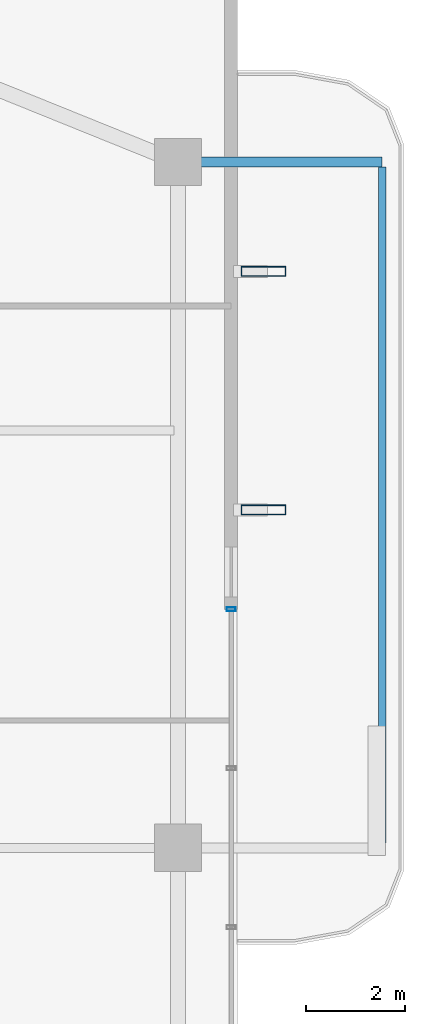
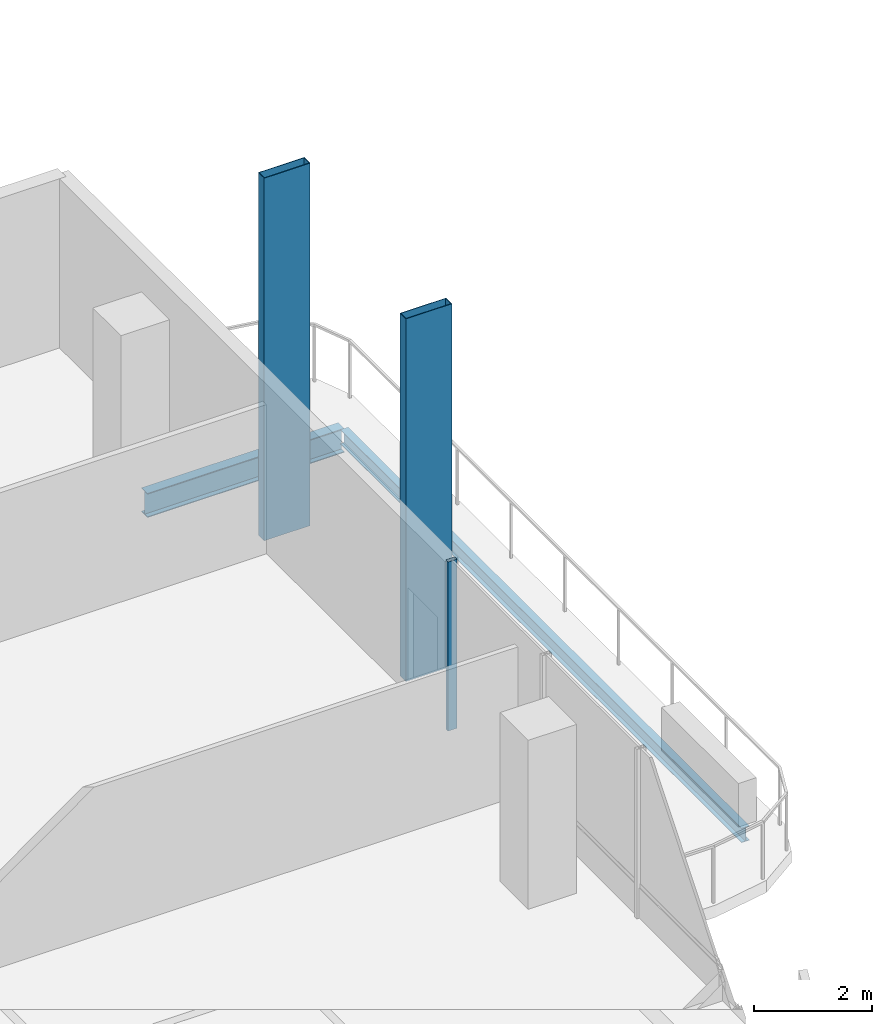
# One storey, part 15 of 25: 3 members, 2 beams, 1 element without a shape of its own.
"""IFC4 building model written with IfcOpenShell, lengths in metres."""

from ifc_helpers import new_model, si_unit, direction, frame, origin, origin_2d, place, context, subcontext, project, spatial, hollow_rectangle, i_section, extrude, material, layer, layer_set, material_profile, profile_set, type_object, element, aggregate, save


model = new_model("IFC4")

# Units and contexts
model_context = context("Model", 3, precision=1e-05, world=origin(), true_north=direction((0.0, 1.0)))
body_context = subcontext(model_context, "Body", "Model", "MODEL_VIEW")
ifc_project = project(units=[si_unit("LENGTHUNIT", "METRE"), si_unit("AREAUNIT", "SQUARE_METRE"), si_unit("VOLUMEUNIT", "CUBIC_METRE"), si_unit("PLANEANGLEUNIT", "RADIAN"), si_unit("MASSUNIT", "GRAM", prefix="KILO")], contexts=[model_context])

# Site, building, storey
site_placement = place(None, origin())
site = spatial("IfcSite", under=ifc_project, at=site_placement, CompositionType="ELEMENT")
building_placement = place(site_placement, origin())
building = spatial("IfcBuilding", under=site, at=building_placement, Name="Belovzor Exchange Tower", CompositionType="ELEMENT")
storey_placement = place(building_placement, frame((0.0, 0.0, 272.85009765625)))
storey = spatial("IfcBuildingStorey", under=building, at=storey_placement, Name="L68", CompositionType="ELEMENT", Elevation=272.85009765625)

# Beams
ifc_material_1 = material(Name="Steel S355", Category="steel")
ifc_material_profile_1 = material_profile(ifc_material_1, i_section(OverallWidth=0.199951171875, OverallDepth=0.5, WebThickness=0.01025390625, FlangeThickness=0.01611328125, at=origin_2d()))
ifc_profile_set_1 = profile_set([ifc_material_profile_1], Name="Steel S355")
beam_type_1 = type_object("IfcBeamType", Name="Planted Balcony Cantilever Beam IPE 500", PredefinedType="BEAM", material=ifc_profile_set_1)
beam_1_placement = place(storey_placement, frame((52.760986328125, 42.60009765625, -0.5), z_axis=(1.0, 0.0, 0.0), x_axis=(0.0, 1.0, 0.0)))
element("IfcBeam", 1, at=beam_1_placement, inside=storey, type_object=beam_type_1, Name="BC-500 Planted Balcony Cantilever Beam IPE 500", PredefinedType="BEAM", context=body_context, shape_type="SweptSolid", body=[
    extrude(i_section(OverallWidth=0.199951171875, OverallDepth=0.5, WebThickness=0.01025390625, FlangeThickness=0.01611328125, at=origin_2d()), origin(), (0.0, 0.0, 1.0), 3.85009765625),
])
ifc_material_2 = material(Name="Steel S355", Category="steel")
ifc_material_profile_2 = material_profile(ifc_material_2, i_section(OverallWidth=0.14990234375, OverallDepth=0.300048828125, WebThickness=0.007080078125, FlangeThickness=0.0107421875, at=origin_2d()))
ifc_profile_set_2 = profile_set([ifc_material_profile_2], Name="Steel S355")
beam_type_2 = type_object("IfcBeamType", Name="Planted Balcony Fascia Edge Beam IPE 300", PredefinedType="BEAM", material=ifc_profile_set_2)
beam_2_placement = place(storey_placement, frame((56.611083984375, 28.89990234375, -0.400146484375), z_axis=(0.0, 1.0, 0.0), x_axis=(-1.0, 0.0, 0.0)))
element("IfcBeam", 2, at=beam_2_placement, inside=storey, type_object=beam_type_2, Name="BC-300 Planted Balcony Fascia Edge Beam IPE 300", PredefinedType="BEAM", context=body_context, shape_type="SweptSolid", body=[
    extrude(i_section(OverallWidth=0.14990234375, OverallDepth=0.300048828125, WebThickness=0.007080078125, FlangeThickness=0.0107421875, at=origin_2d()), origin(), (0.0, 0.0, 1.0), 13.60009765625),
])

# Members
ifc_material_3 = material(Name="Extruded Architectural Terracotta on Steel S355 Carrier", Category="masonry")
ifc_material_profile_3 = material_profile(ifc_material_3, hollow_rectangle(XDim=0.199951171875, YDim=0.89990234375, WallThickness=0.011962890625, at=origin_2d()))
ifc_profile_set_3 = profile_set([ifc_material_profile_3], Name="Extruded Architectural Terracotta on Steel S355 Carrier")
member_type_1 = type_object("IfcMemberType", Name="Sweeping Terracotta Baguette Fin Assembly 950", PredefinedType="USERDEFINED", material=ifc_profile_set_3)
for number, where, z_axis, x_axis, name in (
    (3, (54.22509765625, 35.60009765625, -0.25), (0.0, 0.0, 1.0), (0.0, 1.0, 0.0), "FIN-TC095 Terracotta Facade Fin L68 E3"),
    (4, (54.22509765625, 40.39990234375, -0.25), (0.0, 0.0, 1.0), (0.0, 1.0, 0.0), "FIN-TC095 Terracotta Facade Fin L68 E4"),
):
    element("IfcMember", number, at=place(storey_placement, frame(where, z_axis=z_axis, x_axis=x_axis)), inside=storey, type_object=member_type_1, Name=name, ObjectType="FIN", PredefinedType="USERDEFINED", context=body_context, shape_type="SweptSolid", body=[
        extrude(hollow_rectangle(XDim=0.199951171875, YDim=0.89990234375, WallThickness=0.011962890625, at=origin_2d()), origin(), (0.0, 0.0, 1.0), 7.5),
    ])

# Curtain wall, member
ifc_material_4 = material(Name="Anodised Aluminium Framing", Category="aluminium")
ifc_layer = layer(ifc_material_4, 0.179931640625)
ifc_layer_set = layer_set([ifc_layer], Name="Anodised Aluminium Framing")
curtain_wall_type = type_object("IfcCurtainWallType", Name="Recessed Loggia Low-Iron Triple-Glazed Curtain Wall", PredefinedType="NOTDEFINED", material=ifc_layer_set)
curtain_wall_placement = place(storey_placement, origin())
curtain_wall = element("IfcCurtainWall", 5, at=curtain_wall_placement, inside=storey, type_object=curtain_wall_type, Name="CW3 Recessed Loggia Low-Iron Triple-Glazed Curtain Wall L68", PredefinedType="NOTDEFINED")
ifc_material_5 = material(Name="Steel S355", Category="steel")
ifc_material_profile_4 = material_profile(ifc_material_5, hollow_rectangle(XDim=0.074951171875, YDim=0.179931640625, WallThickness=0.0048828125, at=origin_2d()))
ifc_profile_set_4 = profile_set([ifc_material_profile_4], Name="Steel S355")
member_type_2 = type_object("IfcMemberType", Name="Thermally Broken Curtain Wall Mullion 180x75", PredefinedType="MULLION", material=ifc_profile_set_4)
member_placement = place(storey_placement, frame((53.570068359375, 33.60009765625, 0.0), z_axis=(0.0, 0.0, 1.0), x_axis=(0.0, -1.0, 0.0)))
member = element("IfcMember", 6, at=member_placement, type_object=member_type_2, Name="CW-M180 Curtain Wall Mullion 1", PredefinedType="MULLION", context=body_context, shape_type="SweptSolid", body=[
    extrude(hollow_rectangle(XDim=0.074951171875, YDim=0.179931640625, WallThickness=0.0048828125, at=origin_2d()), origin(), (0.0, 0.0, 1.0), 3.5),
])
aggregate(curtain_wall, [member])

save(model, "model.ifc")
